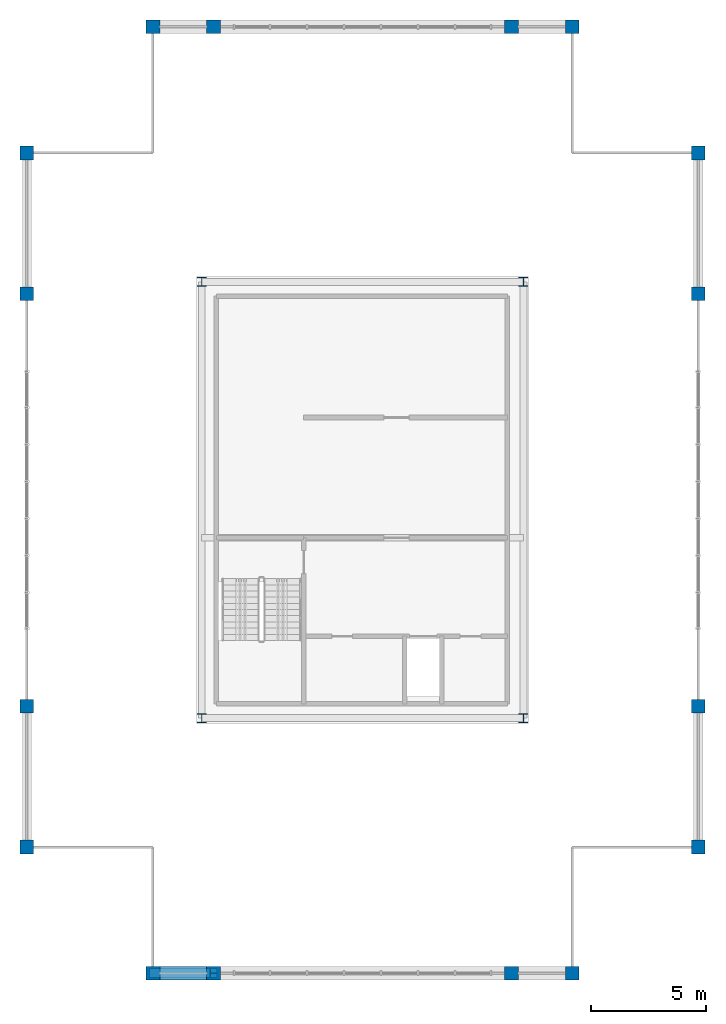
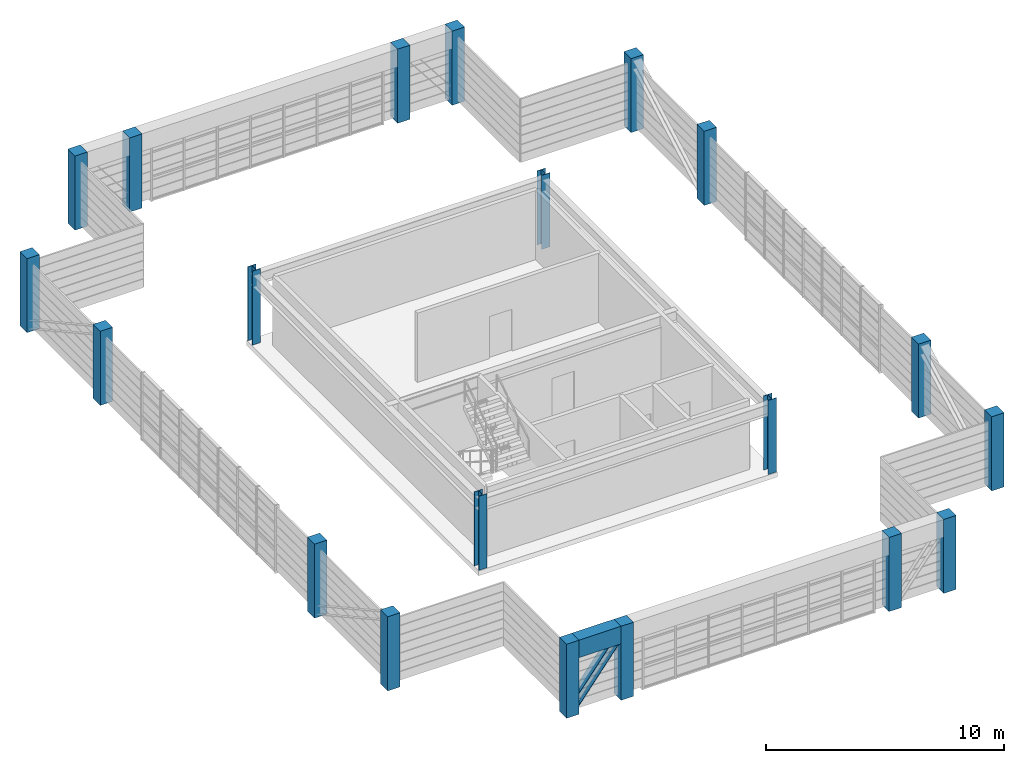
# One storey, part 1 of 21: 20 columns, 1 beam, 1 member.
"""IFC4 building model written with IfcOpenShell, lengths in metres."""

from ifc_helpers import new_model, si_unit, direction, frame, origin, origin_2d, place, context, subcontext, project, spatial, rectangle, i_section, extrude, source, transform, mapped, material, material_profile, profile_set, type_object, element, save


model = new_model("IFC4")

# Units and contexts
model_context = context("Model", 3, precision=1e-05, world=origin(), true_north=direction((0.0, 1.0)))
body_context = subcontext(model_context, "Body", "Model", "MODEL_VIEW")
ifc_project = project(units=[si_unit("LENGTHUNIT", "METRE"), si_unit("AREAUNIT", "SQUARE_METRE"), si_unit("VOLUMEUNIT", "CUBIC_METRE"), si_unit("PLANEANGLEUNIT", "RADIAN"), si_unit("MASSUNIT", "GRAM", prefix="KILO")], contexts=[model_context])

# Site, building, storey
site_placement = place(None, origin())
site = spatial("IfcSite", under=ifc_project, at=site_placement, CompositionType="ELEMENT")
building_placement = place(site_placement, origin())
building = spatial("IfcBuilding", under=site, at=building_placement, Name="Saelheon Loggia Tower", CompositionType="ELEMENT")
storey_placement = place(building_placement, frame((0.0, 0.0, 267.39990234375)))
storey = spatial("IfcBuildingStorey", under=building, at=storey_placement, Name="CR5", CompositionType="ELEMENT", Elevation=267.39990234375)

# Columns
ifc_material_1 = material(Name="Precast Concrete C45/55", Category="concrete")
ifc_material_profile_1 = material_profile(ifc_material_1, rectangle(XDim=0.60009765625, YDim=0.60009765625, at=origin_2d()), Name="RC-600x600")
ifc_profile_set_1 = profile_set([ifc_material_profile_1], Name="Precast Concrete C45/55")
column_type_1 = type_object("IfcColumnType", Name="CrownFrame_Col_RC600", PredefinedType="COLUMN", material=ifc_profile_set_1)
shared_shape_1 = source(origin(), body_context, "Body", "SweptSolid", [
    extrude(rectangle(XDim=0.60009765625, YDim=0.60009765625, at=origin_2d()), origin(), (0.0, 0.0, 1.0), 3.800048828125),
])
for number, where, z_axis, x_axis, name in (
    (1, (28.85009765625, 6.35009765625, 0.0), (0.0, 0.0, 1.0), (1.0, 0.0, 0.0), "CR5 CROWN FRAME Column TP-S1"),
    (2, (31.5, 6.35009765625, 0.0), (0.0, 0.0, 1.0), (1.0, 0.0, 0.0), "CR5 CROWN FRAME Column TP-SA"),
    (3, (44.5, 6.35009765625, 0.0), (0.0, 0.0, 1.0), (1.0, 0.0, 0.0), "CR5 CROWN FRAME Column TP-SB"),
    (4, (47.14990234375, 6.35009765625, 0.0), (0.0, 0.0, 1.0), (1.0, 0.0, 0.0), "CR5 CROWN FRAME Column TP-S2"),
    (5, (52.64990234375, 11.85009765625, 0.0), (0.0, 0.0, 1.0), (1.0, 0.0, 0.0), "CR5 CROWN FRAME Column TP-E1"),
    (6, (52.64990234375, 18.0, 0.0), (0.0, 0.0, 1.0), (1.0, 0.0, 0.0), "CR5 CROWN FRAME Column TP-EA"),
    (7, (52.64990234375, 36.0, 0.0), (0.0, 0.0, 1.0), (1.0, 0.0, 0.0), "CR5 CROWN FRAME Column TP-EB"),
    (8, (52.64990234375, 42.14990234375, 0.0), (0.0, 0.0, 1.0), (1.0, 0.0, 0.0), "CR5 CROWN FRAME Column TP-E2"),
    (9, (47.14990234375, 47.64990234375, 0.0), (0.0, 0.0, 1.0), (1.0, 0.0, 0.0), "CR5 CROWN FRAME Column TP-N2"),
    (10, (44.5, 47.64990234375, 0.0), (0.0, 0.0, 1.0), (1.0, 0.0, 0.0), "CR5 CROWN FRAME Column TP-NB"),
    (11, (31.5, 47.64990234375, 0.0), (0.0, 0.0, 1.0), (1.0, 0.0, 0.0), "CR5 CROWN FRAME Column TP-NA"),
    (12, (28.85009765625, 47.64990234375, 0.0), (0.0, 0.0, 1.0), (1.0, 0.0, 0.0), "CR5 CROWN FRAME Column TP-N1"),
    (13, (23.35009765625, 42.14990234375, 0.0), (0.0, 0.0, 1.0), (1.0, 0.0, 0.0), "CR5 CROWN FRAME Column TP-W2"),
    (14, (23.35009765625, 36.0, 0.0), (0.0, 0.0, 1.0), (1.0, 0.0, 0.0), "CR5 CROWN FRAME Column TP-WB"),
    (15, (23.35009765625, 18.0, 0.0), (0.0, 0.0, 1.0), (1.0, 0.0, 0.0), "CR5 CROWN FRAME Column TP-WA"),
    (16, (23.35009765625, 11.85009765625, 0.0), (0.0, 0.0, 1.0), (1.0, 0.0, 0.0), "CR5 CROWN FRAME Column TP-W1"),
):
    element("IfcColumn", number, at=place(storey_placement, frame(where, z_axis=z_axis, x_axis=x_axis)), inside=storey, type_object=column_type_1, Name=name, PredefinedType="COLUMN", context=body_context, shape_type="MappedRepresentation", body=[
        mapped(shared_shape_1, transform((0.0, 0.0, 0.0), scale=1.0)),
    ])
ifc_material_2 = material(Name="Steel SM355", Category="steel")
ifc_material_profile_2 = material_profile(ifc_material_2, i_section(OverallWidth=0.39990234375, OverallDepth=0.39990234375, WebThickness=0.012939453125, FlangeThickness=0.02099609375, at=origin_2d()), Name="H-400x400x13x21")
ifc_profile_set_2 = profile_set([ifc_material_profile_2], Name="Steel SM355")
column_type_2 = type_object("IfcColumnType", Name="Col_Steel_H400", PredefinedType="COLUMN", material=ifc_profile_set_2)
shared_shape_2 = source(origin(), body_context, "Body", "SweptSolid", [
    extrude(i_section(OverallWidth=0.39990234375, OverallDepth=0.39990234375, WebThickness=0.012939453125, FlangeThickness=0.02099609375, at=origin_2d()), origin(), (0.0, 0.0, 1.0), 3.800048828125),
])
for number, where, z_axis, x_axis, name in (
    (17, (30.97998046875, 17.47998046875, 0.0), (0.0, 0.0, 1.0), (1.0, 0.0, 0.0), "CR5 Crown Plant Frame Column CR-SW"),
    (18, (45.02001953125, 17.47998046875, 0.0), (0.0, 0.0, 1.0), (1.0, 0.0, 0.0), "CR5 Crown Plant Frame Column CR-SE"),
    (19, (30.97998046875, 36.52001953125, 0.0), (0.0, 0.0, 1.0), (1.0, 0.0, 0.0), "CR5 Crown Plant Frame Column CR-NW"),
    (20, (45.02001953125, 36.52001953125, 0.0), (0.0, 0.0, 1.0), (1.0, 0.0, 0.0), "CR5 Crown Plant Frame Column CR-NE"),
):
    element("IfcColumn", number, at=place(storey_placement, frame(where, z_axis=z_axis, x_axis=x_axis)), inside=storey, type_object=column_type_2, Name=name, PredefinedType="COLUMN", context=body_context, shape_type="MappedRepresentation", body=[
        mapped(shared_shape_2, transform((0.0, 0.0, 0.0), scale=1.0)),
    ])

# Beam
ifc_material_profile_3 = material_profile(ifc_material_1, rectangle(XDim=0.60009765625, YDim=0.89990234375, at=origin_2d()), Name="RC-600x900")
ifc_profile_set_3 = profile_set([ifc_material_profile_3], Name="Precast Concrete C45/55")
beam_type = type_object("IfcBeamType", Name="CrownFrame_Ring_RC600x900", PredefinedType="BEAM", material=ifc_profile_set_3)
shared_shape_3 = source(origin(), body_context, "Body", "SweptSolid", [
    extrude(rectangle(XDim=0.60009765625, YDim=0.89990234375, at=origin_2d()), origin(), (0.0, 0.0, 1.0), 2.64990234375),
])
beam_placement = place(storey_placement, frame((28.85009765625, 6.35009765625, 3.35009765625), z_axis=(1.0, 0.0, 0.0), x_axis=(0.0, 1.0, 0.0)))
element("IfcBeam", 21, at=beam_placement, inside=storey, type_object=beam_type, Name="CR5 CROWN FRAME Sill Beam 01", PredefinedType="BEAM", context=body_context, shape_type="MappedRepresentation", body=[
    mapped(shared_shape_3, transform((0.0, 0.0, 0.0), scale=1.0)),
])

# Member
ifc_material_profile_4 = material_profile(ifc_material_2, i_section(OverallWidth=0.39990234375, OverallDepth=0.39990234375, WebThickness=0.012939453125, FlangeThickness=0.02099609375, at=origin_2d()), Name="H-400x400x13x21")
ifc_profile_set_4 = profile_set([ifc_material_profile_4], Name="Steel SM355")
member_type = type_object("IfcMemberType", Name="CrownFrame_Brace_H400", PredefinedType="BRACE", material=ifc_profile_set_4)
shared_shape_4 = source(origin(), body_context, "Body", "SweptSolid", [
    extrude(i_section(OverallWidth=0.39990234375, OverallDepth=0.39990234375, WebThickness=0.012939453125, FlangeThickness=0.02099609375, at=origin_2d()), origin(), (0.0, 0.0, 1.0), 4.310546875),
])
member_placement = place(storey_placement, frame((28.85009765625, 6.35009765625, 0.2001953125), z_axis=(0.614740189852, 0.0, 0.788729674211), x_axis=(0.0, 1.0, 0.0)))
element("IfcMember", 22, at=member_placement, inside=storey, type_object=member_type, Name="CR5 CROWN FRAME Wind Brace 01", PredefinedType="BRACE", context=body_context, shape_type="MappedRepresentation", body=[
    mapped(shared_shape_4, transform((0.0, 0.0, 0.0), scale=1.0)),
])

save(model, "model.ifc")
